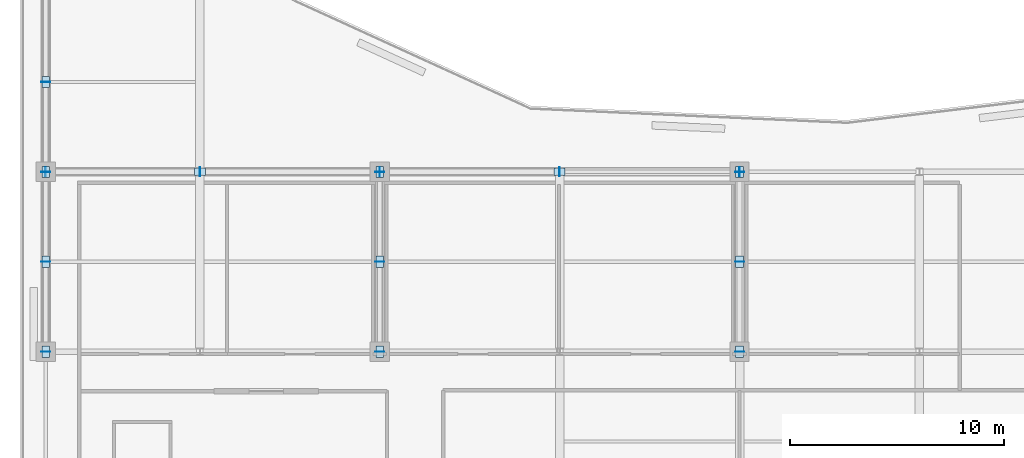
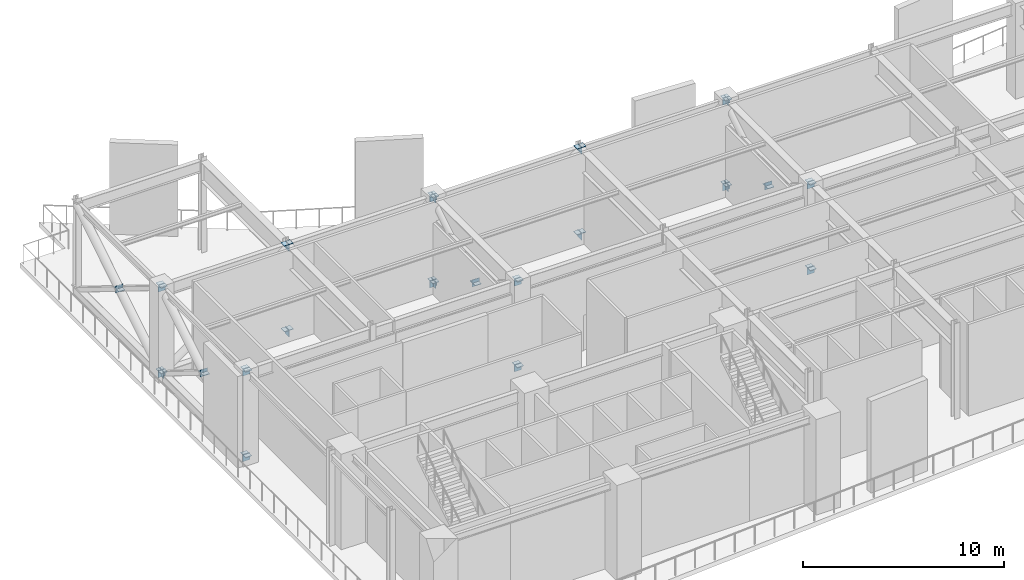
# One storey, part 5 of 14: 45 plates.
"""IFC4 building model written with IfcOpenShell, lengths in metres."""

from ifc_helpers import new_model, si_unit, direction, frame, origin, origin_2d, place, context, subcontext, project, spatial, rectangle, extrude, material, layer, layer_set, type_object, element, save


model = new_model("IFC4")

# Units and contexts
model_context = context("Model", 3, precision=1e-05, world=origin(), true_north=direction((0.0, 1.0)))
body_context = subcontext(model_context, "Body", "Model", "MODEL_VIEW")
ifc_project = project(units=[si_unit("LENGTHUNIT", "METRE"), si_unit("AREAUNIT", "SQUARE_METRE"), si_unit("VOLUMEUNIT", "CUBIC_METRE"), si_unit("PLANEANGLEUNIT", "RADIAN"), si_unit("MASSUNIT", "GRAM", prefix="KILO")], contexts=[model_context])

# Site, building, storey
site_placement = place(None, origin())
site = spatial("IfcSite", under=ifc_project, at=site_placement, CompositionType="ELEMENT")
building_placement = place(site_placement, origin())
building = spatial("IfcBuilding", under=site, at=building_placement, Name="Varnakote Quay Hospital", CompositionType="ELEMENT")
storey_placement = place(building_placement, frame((0.0, 0.0, 97.550048828125)))
storey = spatial("IfcBuildingStorey", under=building, at=storey_placement, Name="L24", CompositionType="ELEMENT", Elevation=97.550048828125)

# Plates
ifc_material_1 = material(Name="Structural steel AS/NZS 3678 Grade 350 (fy 340 MPa)", Category="steel")
ifc_layer_1 = layer(ifc_material_1, 0.02001953125)
ifc_layer_set_1 = layer_set([ifc_layer_1], Name="Structural steel AS/NZS 3678 Grade 350 (fy 340 MPa)")
plate_type_1 = type_object("IfcPlateType", Name="PLT-ENDCAP-420x420x20", PredefinedType="USERDEFINED", material=ifc_layer_set_1)
for number, where, z_axis, x_axis, name in (
    (1, (1.199951171875, 20.39990234375, -0.030029296875), (0.0, 0.0, 1.0), (0.0, 1.0, 0.0), "L24 Hollow Section Sealed End Cap Plate"),
    (2, (1.199951171875, 28.800048828125, -0.030029296875), (0.0, 0.0, 1.0), (0.0, 1.0, 0.0), "L24 Hollow Section Sealed End Cap Plate"),
    (3, (1.199951171875, 28.800048828125, 5.169921875), (0.0, 0.0, 1.0), (0.0, 1.0, 0.0), "L24 Hollow Section Sealed End Cap Plate"),
    (4, (1.199951171875, 24.60009765625, 2.570068359375), (0.0, 0.0, 1.0), (0.0, 1.0, 0.0), "L24 Hollow Section Sealed End Cap Plate"),
    (5, (1.199951171875, 20.39990234375, 5.169921875), (0.0, 0.0, 1.0), (0.0, 1.0, 0.0), "L24 Hollow Section Sealed End Cap Plate"),
    (6, (1.199951171875, 33.0, 2.570068359375), (0.0, 0.0, 1.0), (0.0, 1.0, 0.0), "L24 Hollow Section Sealed End Cap Plate"),
    (7, (16.800048828125, 20.39990234375, -0.030029296875), (0.0, 0.0, 1.0), (0.0, 1.0, 0.0), "L24 Hollow Section Sealed End Cap Plate"),
    (8, (16.800048828125, 28.800048828125, -0.030029296875), (0.0, 0.0, 1.0), (0.0, 1.0, 0.0), "L24 Hollow Section Sealed End Cap Plate"),
    (9, (16.800048828125, 28.800048828125, 5.169921875), (0.0, 0.0, 1.0), (0.0, 1.0, 0.0), "L24 Hollow Section Sealed End Cap Plate"),
    (10, (16.800048828125, 24.60009765625, 2.570068359375), (0.0, 0.0, 1.0), (0.0, 1.0, 0.0), "L24 Hollow Section Sealed End Cap Plate"),
    (11, (16.800048828125, 20.39990234375, 5.169921875), (0.0, 0.0, 1.0), (0.0, 1.0, 0.0), "L24 Hollow Section Sealed End Cap Plate"),
    (12, (33.60009765625, 20.39990234375, -0.030029296875), (0.0, 0.0, 1.0), (0.0, 1.0, 0.0), "L24 Hollow Section Sealed End Cap Plate"),
    (13, (33.60009765625, 28.800048828125, -0.030029296875), (0.0, 0.0, 1.0), (0.0, 1.0, 0.0), "L24 Hollow Section Sealed End Cap Plate"),
    (14, (33.60009765625, 28.800048828125, 5.169921875), (0.0, 0.0, 1.0), (0.0, 1.0, 0.0), "L24 Hollow Section Sealed End Cap Plate"),
    (15, (33.60009765625, 24.60009765625, 2.570068359375), (0.0, 0.0, 1.0), (0.0, 1.0, 0.0), "L24 Hollow Section Sealed End Cap Plate"),
    (16, (33.60009765625, 20.39990234375, 5.169921875), (0.0, 0.0, 1.0), (0.0, 1.0, 0.0), "L24 Hollow Section Sealed End Cap Plate"),
    (17, (1.199951171875, 28.800048828125, -0.030029296875), (0.0, 0.0, 1.0), (1.0, 0.0, 0.0), "L24 Hollow Section Sealed End Cap Plate"),
    (18, (8.39990234375, 28.800048828125, -0.030029296875), (0.0, 0.0, 1.0), (1.0, 0.0, 0.0), "L24 Hollow Section Sealed End Cap Plate"),
    (19, (8.39990234375, 28.800048828125, 5.169921875), (0.0, 0.0, 1.0), (1.0, 0.0, 0.0), "L24 Hollow Section Sealed End Cap Plate"),
    (20, (16.800048828125, 28.800048828125, -0.030029296875), (0.0, 0.0, 1.0), (1.0, 0.0, 0.0), "L24 Hollow Section Sealed End Cap Plate"),
    (21, (16.800048828125, 28.800048828125, 5.169921875), (0.0, 0.0, 1.0), (1.0, 0.0, 0.0), "L24 Hollow Section Sealed End Cap Plate"),
    (22, (25.199951171875, 28.800048828125, -0.030029296875), (0.0, 0.0, 1.0), (1.0, 0.0, 0.0), "L24 Hollow Section Sealed End Cap Plate"),
    (23, (25.199951171875, 28.800048828125, 5.169921875), (0.0, 0.0, 1.0), (1.0, 0.0, 0.0), "L24 Hollow Section Sealed End Cap Plate"),
    (24, (33.60009765625, 28.800048828125, -0.030029296875), (0.0, 0.0, 1.0), (1.0, 0.0, 0.0), "L24 Hollow Section Sealed End Cap Plate"),
    (25, (33.60009765625, 28.800048828125, 5.169921875), (0.0, 0.0, 1.0), (1.0, 0.0, 0.0), "L24 Hollow Section Sealed End Cap Plate"),
):
    element("IfcPlate", number, at=place(storey_placement, frame(where, z_axis=z_axis, x_axis=x_axis)), inside=storey, type_object=plate_type_1, Name=name, ObjectType="END_CAP_PLATE", PredefinedType="USERDEFINED", context=body_context, shape_type="SweptSolid", body=[
        extrude(rectangle(XDim=0.02001953125, YDim=0.419921875, at=origin_2d()), origin(), (0.0, 0.0, 1.0), 0.419921875),
    ])
ifc_material_2 = material(Name="Structural steel AS/NZS 3678 Grade 350 (fy 340 MPa)", Category="steel")
ifc_layer_2 = layer(ifc_material_2, 0.031982421875)
ifc_layer_set_2 = layer_set([ifc_layer_2], Name="Structural steel AS/NZS 3678 Grade 350 (fy 340 MPa)")
plate_type_2 = type_object("IfcPlateType", Name="PLT-GUSSET-520x360x32", PredefinedType="USERDEFINED", material=ifc_layer_set_2)
for number, where, z_axis, x_axis, name in (
    (26, (1.199951171875, 20.39990234375, 0.34375), (0.0, 0.0, 1.0), (0.0, 1.0, 0.0), "L24 Truss Concentric Node Gusset Plate"),
    (27, (1.199951171875, 28.800048828125, 0.34375), (0.0, 0.0, 1.0), (0.0, 1.0, 0.0), "L24 Truss Concentric Node Gusset Plate"),
    (28, (1.199951171875, 20.39990234375, 5.5439453125), (0.0, 0.0, 1.0), (0.0, 1.0, 0.0), "L24 Truss Concentric Node Gusset Plate"),
    (29, (1.199951171875, 28.800048828125, 5.5439453125), (0.0, 0.0, 1.0), (0.0, 1.0, 0.0), "L24 Truss Concentric Node Gusset Plate"),
    (30, (1.199951171875, 24.60009765625, 2.76416015625), (0.0, 0.0, 1.0), (0.0, 1.0, 0.0), "L24 X-Brace Crossing Slotted Gusset Plate"),
    (31, (1.199951171875, 33.0, 2.76416015625), (0.0, 0.0, 1.0), (0.0, 1.0, 0.0), "L24 X-Brace Crossing Slotted Gusset Plate"),
    (32, (16.800048828125, 20.39990234375, 0.34375), (0.0, 0.0, 1.0), (0.0, 1.0, 0.0), "L24 Truss Concentric Node Gusset Plate"),
    (33, (16.800048828125, 28.800048828125, 0.34375), (0.0, 0.0, 1.0), (0.0, 1.0, 0.0), "L24 Truss Concentric Node Gusset Plate"),
    (34, (16.800048828125, 20.39990234375, 5.5439453125), (0.0, 0.0, 1.0), (0.0, 1.0, 0.0), "L24 Truss Concentric Node Gusset Plate"),
    (35, (16.800048828125, 28.800048828125, 5.5439453125), (0.0, 0.0, 1.0), (0.0, 1.0, 0.0), "L24 Truss Concentric Node Gusset Plate"),
    (36, (16.800048828125, 24.60009765625, 2.76416015625), (0.0, 0.0, 1.0), (0.0, 1.0, 0.0), "L24 X-Brace Crossing Slotted Gusset Plate"),
    (37, (33.60009765625, 20.39990234375, 0.34375), (0.0, 0.0, 1.0), (0.0, 1.0, 0.0), "L24 Truss Concentric Node Gusset Plate"),
    (38, (33.60009765625, 28.800048828125, 0.34375), (0.0, 0.0, 1.0), (0.0, 1.0, 0.0), "L24 Truss Concentric Node Gusset Plate"),
    (39, (33.60009765625, 20.39990234375, 5.5439453125), (0.0, 0.0, 1.0), (0.0, 1.0, 0.0), "L24 Truss Concentric Node Gusset Plate"),
    (40, (33.60009765625, 28.800048828125, 5.5439453125), (0.0, 0.0, 1.0), (0.0, 1.0, 0.0), "L24 Truss Concentric Node Gusset Plate"),
    (41, (33.60009765625, 24.60009765625, 2.76416015625), (0.0, 0.0, 1.0), (0.0, 1.0, 0.0), "L24 X-Brace Crossing Slotted Gusset Plate"),
    (42, (8.39990234375, 28.800048828125, 0.34375), (0.0, 0.0, 1.0), (1.0, 0.0, 0.0), "L24 Truss Concentric Node Gusset Plate"),
    (43, (8.39990234375, 28.800048828125, 5.5439453125), (0.0, 0.0, 1.0), (1.0, 0.0, 0.0), "L24 Truss Concentric Node Gusset Plate"),
    (44, (25.199951171875, 28.800048828125, 0.34375), (0.0, 0.0, 1.0), (1.0, 0.0, 0.0), "L24 Truss Concentric Node Gusset Plate"),
    (45, (25.199951171875, 28.800048828125, 5.5439453125), (0.0, 0.0, 1.0), (1.0, 0.0, 0.0), "L24 Truss Concentric Node Gusset Plate"),
):
    element("IfcPlate", number, at=place(storey_placement, frame(where, z_axis=z_axis, x_axis=x_axis)), inside=storey, type_object=plate_type_2, Name=name, ObjectType="GUSSET_PLATE", PredefinedType="USERDEFINED", context=body_context, shape_type="SweptSolid", body=[
        extrude(rectangle(XDim=0.52001953125, YDim=0.360107421875, at=origin_2d()), origin(), (0.0, 0.0, 1.0), 0.031982421875),
    ])

save(model, "model.ifc")
